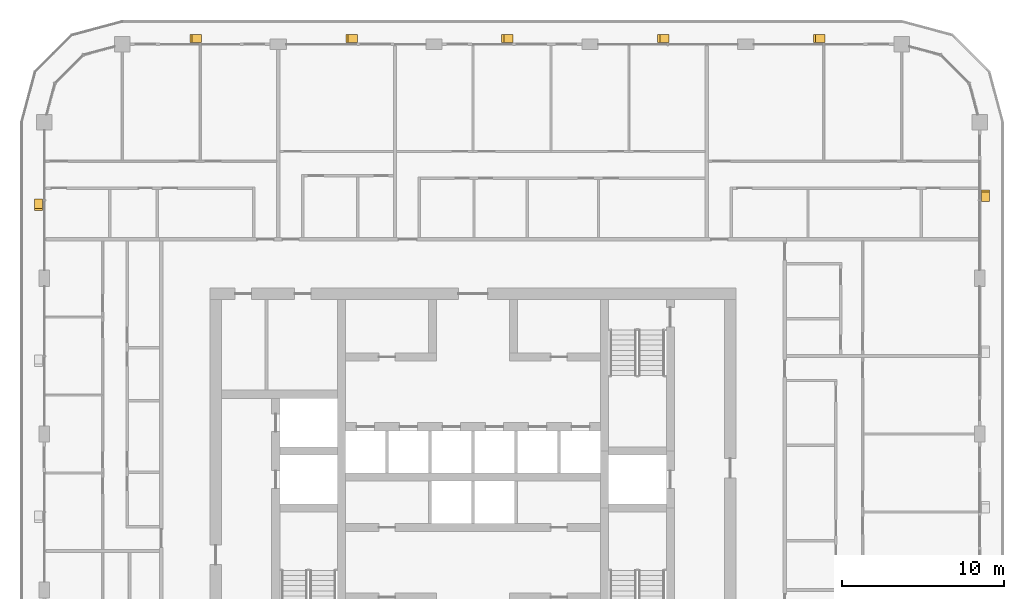
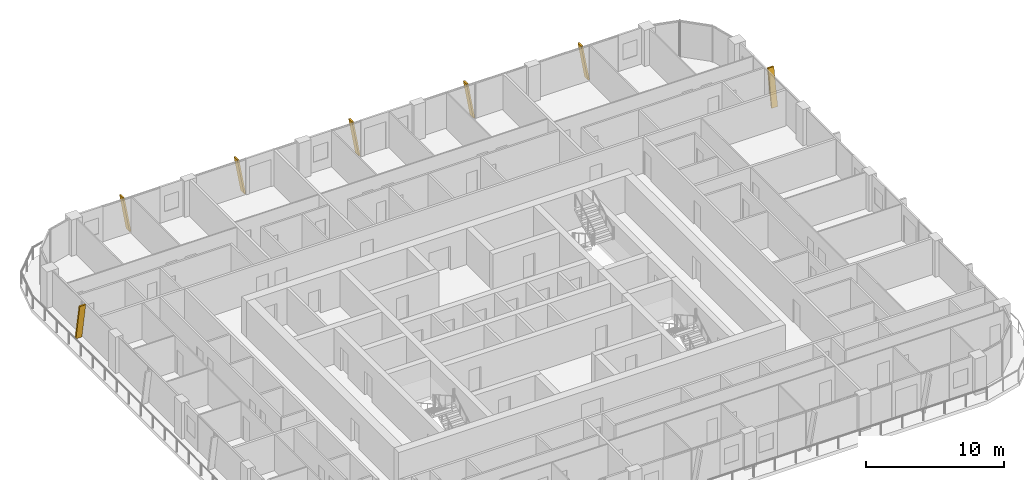
# One storey, part 23 of 23: 7 shading devices.
"""IFC4 building model written with IfcOpenShell, lengths in metres."""

from ifc_helpers import new_model, si_unit, direction, frame, origin, place, context, subcontext, project, spatial, polyline, outline, extrude, material, type_object, element, save


model = new_model("IFC4")

# Units and contexts
model_context = context("Model", 3, precision=1e-05, world=origin(), true_north=direction((0.0, 1.0)))
body_context = subcontext(model_context, "Body", "Model", "MODEL_VIEW")
ifc_project = project(units=[si_unit("LENGTHUNIT", "METRE"), si_unit("AREAUNIT", "SQUARE_METRE"), si_unit("VOLUMEUNIT", "CUBIC_METRE"), si_unit("PLANEANGLEUNIT", "RADIAN"), si_unit("MASSUNIT", "GRAM", prefix="KILO")], contexts=[model_context])

# Site, building, storey
site_placement = place(None, origin())
site = spatial("IfcSite", under=ifc_project, at=site_placement, CompositionType="ELEMENT")
building_placement = place(site_placement, origin())
building = spatial("IfcBuilding", under=site, at=building_placement, Name="Madar Terraces", CompositionType="ELEMENT")
storey_placement = place(building_placement, frame((0.0, 0.0, 219.300048828125)))
storey = spatial("IfcBuildingStorey", under=building, at=storey_placement, Name="L57", CompositionType="ELEMENT", Elevation=219.300048828125)

# Shading devices
ifc_material = material(Name="Aluminium, black anodised", Category="aluminium")
shading_device_type = type_object("IfcShadingDeviceType", Name="Facade fin blade 140 x 500", PredefinedType="USERDEFINED", material=ifc_material)
for number, where, z_axis, x_axis, name in (
    (1, (62.75, 43.1298828125, 0.0), (0.0, 0.0, 1.0), (0.0, 1.0, 0.0), "FIN L57 E4"),
    (2, (52.8701171875, 53.14990234375, 0.0), (0.0, 0.0, 1.0), (-1.0, 0.0, 0.0), "FIN L57 N1"),
    (3, (43.27001953125, 53.14990234375, 0.0), (0.0, 0.0, 1.0), (-1.0, 0.0, 0.0), "FIN L57 N2"),
):
    element("IfcShadingDevice", number, at=place(storey_placement, frame(where, z_axis=z_axis, x_axis=x_axis)), inside=storey, type_object=shading_device_type, Name=name, ObjectType="FIN", PredefinedType="USERDEFINED", context=body_context, shape_type="SweptSolid", body=[
        extrude(outline(polyline([(0.0, 0.0), (0.14013671875, 0.0), (0.704345703125, 3.199951171875), (0.564208984375, 3.199951171875), (0.0, 0.0)])), frame((0.0, 0.25, 0.0), z_axis=(0.0, -1.0, 0.0), x_axis=(1.0, 0.0, 0.0)), (0.0, 0.0, 1.0), 0.5),
    ])
shading_device_1_placement = place(storey_placement, frame((33.669921875, 53.14990234375, 0.0), z_axis=(0.0, 0.0, 1.0), x_axis=(-1.0, 0.0, 0.0)))
element("IfcShadingDevice", 4, at=shading_device_1_placement, inside=storey, type_object=shading_device_type, Name="FIN L57 N3", ObjectType="FIN", PredefinedType="USERDEFINED", context=body_context, shape_type="SweptSolid", body=[
    extrude(outline(polyline([(0.0, 0.0), (0.139892578125, 0.0), (0.704345703125, 3.199951171875), (0.564208984375, 3.199951171875), (0.0, 0.0)])), frame((0.0, 0.25, 0.0), z_axis=(0.0, -1.0, 0.0), x_axis=(1.0, 0.0, 0.0)), (0.0, 0.0, 1.0), 0.5),
])
shading_device_2_placement = place(storey_placement, frame((24.070068359375, 53.14990234375, 0.0), z_axis=(0.0, 0.0, 1.0), x_axis=(-1.0, 0.0, 0.0)))
element("IfcShadingDevice", 5, at=shading_device_2_placement, inside=storey, type_object=shading_device_type, Name="FIN L57 N4", ObjectType="FIN", PredefinedType="USERDEFINED", context=body_context, shape_type="SweptSolid", body=[
    extrude(outline(polyline([(0.0, 0.0), (0.14013671875, 0.0), (0.704345703125, 3.199951171875), (0.564208984375, 3.199951171875), (0.0, 0.0)])), frame((0.0, 0.25, 0.0), z_axis=(0.0, -1.0, 0.0), x_axis=(1.0, 0.0, 0.0)), (0.0, 0.0, 1.0), 0.5),
])
shading_device_3_placement = place(storey_placement, frame((14.469970703125, 53.14990234375, 0.0), z_axis=(0.0, 0.0, 1.0), x_axis=(-1.0, 0.0, 0.0)))
element("IfcShadingDevice", 6, at=shading_device_3_placement, inside=storey, type_object=shading_device_type, Name="FIN L57 N5", ObjectType="FIN", PredefinedType="USERDEFINED", context=body_context, shape_type="SweptSolid", body=[
    extrude(outline(polyline([(0.0, 0.0), (0.139892578125, 0.0), (0.704345703125, 3.199951171875), (0.564208984375, 3.199951171875), (0.0, 0.0)])), frame((0.0, 0.25, 0.0), z_axis=(0.0, -1.0, 0.0), x_axis=(1.0, 0.0, 0.0)), (0.0, 0.0, 1.0), 0.5),
])
shading_device_4_placement = place(storey_placement, frame((4.449951171875, 43.27001953125, 0.0), z_axis=(0.0, 0.0, 1.0), x_axis=(0.0, -1.0, 0.0)))
element("IfcShadingDevice", 7, at=shading_device_4_placement, inside=storey, type_object=shading_device_type, Name="FIN L57 W1", ObjectType="FIN", PredefinedType="USERDEFINED", context=body_context, shape_type="SweptSolid", body=[
    extrude(outline(polyline([(0.0, 0.0), (0.14013671875, 0.0), (0.704345703125, 3.199951171875), (0.564208984375, 3.199951171875), (0.0, 0.0)])), frame((0.0, 0.25, 0.0), z_axis=(0.0, -1.0, 0.0), x_axis=(1.0, 0.0, 0.0)), (0.0, 0.0, 1.0), 0.5),
])

save(model, "model.ifc")
